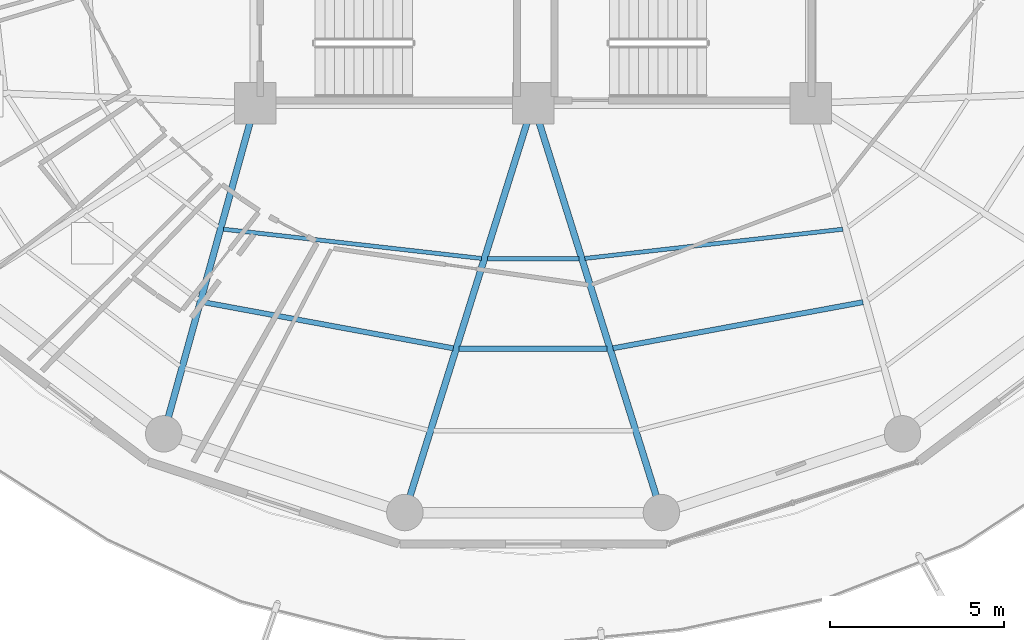
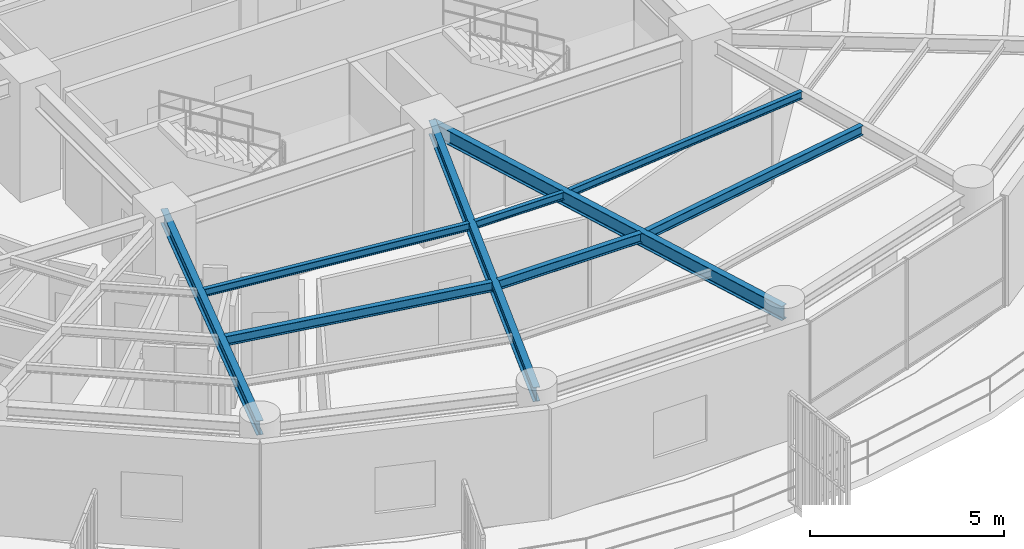
# One storey, part 5 of 30: 9 beams.
"""IFC4 building model written with IfcOpenShell, lengths in metres."""

from ifc_helpers import new_model, si_unit, direction, frame, origin, origin_2d, place, context, subcontext, project, spatial, i_section, extrude, material, material_profile, profile_set, type_object, element, save


model = new_model("IFC4")

# Units and contexts
model_context = context("Model", 3, precision=1e-05, world=origin(), true_north=direction((0.0, 1.0)))
body_context = subcontext(model_context, "Body", "Model", "MODEL_VIEW")
ifc_project = project(units=[si_unit("LENGTHUNIT", "METRE"), si_unit("AREAUNIT", "SQUARE_METRE"), si_unit("VOLUMEUNIT", "CUBIC_METRE"), si_unit("PLANEANGLEUNIT", "RADIAN"), si_unit("MASSUNIT", "GRAM", prefix="KILO")], contexts=[model_context])

# Site, building, storey
site_placement = place(None, origin())
site = spatial("IfcSite", under=ifc_project, at=site_placement, CompositionType="ELEMENT")
building_placement = place(site_placement, origin())
building = spatial("IfcBuilding", under=site, at=building_placement, Name="Kelanora Arch Commons", CompositionType="ELEMENT")
storey_placement = place(building_placement, frame((0.0, 0.0, 204.449951171875)))
storey = spatial("IfcBuildingStorey", under=building, at=storey_placement, Name="L52", CompositionType="ELEMENT", Elevation=204.449951171875)

# Beams
ifc_material = material(Name="Steel S355", Category="steel")
ifc_material_profile_1 = material_profile(ifc_material, i_section(OverallWidth=0.14990234375, OverallDepth=0.300048828125, WebThickness=0.007080078125, FlangeThickness=0.0107421875, FilletRadius=0.014892578125, at=origin_2d()), Name="IPE300")
ifc_profile_set_1 = profile_set([ifc_material_profile_1], Name="Steel S355")
beam_type_1 = type_object("IfcBeamType", Name="BM-JST-01", PredefinedType="JOIST", material=ifc_profile_set_1)
beam_1_placement = place(storey_placement, frame((64.49951171875, 45.270263671875, 3.340087890625), z_axis=(0.983389964671, -0.181505309519, 0.0), x_axis=(0.181505309519, 0.983389964671, 0.0)))
element("IfcBeam", 1, at=beam_1_placement, inside=storey, type_object=beam_type_1, Name="Secondary Chord Joist BJB-24 L52", PredefinedType="JOIST", context=body_context, shape_type="SweptSolid", body=[
    extrude(i_section(OverallWidth=0.14990234375, OverallDepth=0.300048828125, WebThickness=0.007080078125, FlangeThickness=0.0107421875, FilletRadius=0.014892578125, at=origin_2d()), origin(), (0.0, 0.0, 1.0), 7.3212890625),
])
beam_2_placement = place(storey_placement, frame((71.867919921875, 43.92578125, 3.340087890625), z_axis=(1.0, 0.0, 0.0), x_axis=(0.0, 1.0, 0.0)))
element("IfcBeam", 2, at=beam_2_placement, inside=storey, type_object=beam_type_1, Name="Secondary Chord Joist BJB-26 L52", PredefinedType="JOIST", context=body_context, shape_type="SweptSolid", body=[
    extrude(i_section(OverallWidth=0.14990234375, OverallDepth=0.300048828125, WebThickness=0.007080078125, FlangeThickness=0.0107421875, FilletRadius=0.014892578125, at=origin_2d()), origin(), (0.0, 0.0, 1.0), 4.26416015625),
])
beam_3_placement = place(storey_placement, frame((76.30078125, 43.94140625, 3.340087890625), z_axis=(0.983389964671, 0.181505309519, 0.0), x_axis=(-0.181505309519, 0.983389964671, 0.0)))
element("IfcBeam", 3, at=beam_3_placement, inside=storey, type_object=beam_type_1, Name="Secondary Chord Joist BJB-28 L52", PredefinedType="JOIST", context=body_context, shape_type="SweptSolid", body=[
    extrude(i_section(OverallWidth=0.14990234375, OverallDepth=0.300048828125, WebThickness=0.007080078125, FlangeThickness=0.0107421875, FilletRadius=0.014892578125, at=origin_2d()), origin(), (0.0, 0.0, 1.0), 7.3212890625),
])
ifc_material_profile_2 = material_profile(ifc_material, i_section(OverallWidth=0.1201171875, OverallDepth=0.239990234375, WebThickness=0.006103515625, FlangeThickness=0.009765625, FilletRadius=0.014892578125, at=origin_2d()), Name="IPE240")
ifc_profile_set_2 = profile_set([ifc_material_profile_2], Name="Steel S355")
beam_type_2 = type_object("IfcBeamType", Name="BM-JST-02", PredefinedType="JOIST", material=ifc_profile_set_2)
beam_4_placement = place(storey_placement, frame((65.081298828125, 47.371337890625, 3.3701171875), z_axis=(0.993639672263, -0.11260640171, 0.0), x_axis=(0.11260640171, 0.993639672263, 0.0)))
element("IfcBeam", 4, at=beam_4_placement, inside=storey, type_object=beam_type_2, Name="Secondary Chord Joist BJA-24 L52", PredefinedType="JOIST", context=body_context, shape_type="SweptSolid", body=[
    extrude(i_section(OverallWidth=0.1201171875, OverallDepth=0.239990234375, WebThickness=0.006103515625, FlangeThickness=0.009765625, FilletRadius=0.014892578125, at=origin_2d()), origin(), (0.0, 0.0, 1.0), 7.477783203125),
])
beam_5_placement = place(storey_placement, frame((72.680908203125, 46.519775390625, 3.3701171875), z_axis=(1.0, 0.0, 0.0), x_axis=(0.0, 1.0, 0.0)))
element("IfcBeam", 5, at=beam_5_placement, inside=storey, type_object=beam_type_2, Name="Secondary Chord Joist BJA-26 L52", PredefinedType="JOIST", context=body_context, shape_type="SweptSolid", body=[
    extrude(i_section(OverallWidth=0.1201171875, OverallDepth=0.239990234375, WebThickness=0.006103515625, FlangeThickness=0.009765625, FilletRadius=0.014892578125, at=origin_2d()), origin(), (0.0, 0.0, 1.0), 2.63818359375),
])
beam_6_placement = place(storey_placement, frame((75.488525390625, 46.529296875, 3.3701171875), z_axis=(0.993639672263, 0.11260640171, 0.0), x_axis=(-0.11260640171, 0.993639672263, 0.0)))
element("IfcBeam", 6, at=beam_6_placement, inside=storey, type_object=beam_type_2, Name="Secondary Chord Joist BJA-28 L52", PredefinedType="JOIST", context=body_context, shape_type="SweptSolid", body=[
    extrude(i_section(OverallWidth=0.1201171875, OverallDepth=0.239990234375, WebThickness=0.006103515625, FlangeThickness=0.009765625, FilletRadius=0.014892578125, at=origin_2d()), origin(), (0.0, 0.0, 1.0), 7.477783203125),
])
ifc_material_profile_3 = material_profile(ifc_material, i_section(OverallWidth=0.18994140625, OverallDepth=0.449951171875, WebThickness=0.009521484375, FlangeThickness=0.0146484375, FilletRadius=0.02099609375, at=origin_2d()), Name="IPE450")
ifc_profile_set_3 = profile_set([ifc_material_profile_3], Name="Steel S355")
beam_type_3 = type_object("IfcBeamType", Name="BM-RAD-Z4", PredefinedType="BEAM", material=ifc_profile_set_3)
beam_7_placement = place(storey_placement, frame((66.0, 51.0, 3.26513671875), z_axis=(-0.267120164296, -0.963663228429, 0.0), x_axis=(0.963663228429, -0.267120164296, 0.0)))
element("IfcBeam", 7, at=beam_7_placement, inside=storey, type_object=beam_type_3, Name="Radial Floor Girder BR-24 L52", PredefinedType="BEAM", context=body_context, shape_type="SweptSolid", body=[
    extrude(i_section(OverallWidth=0.18994140625, OverallDepth=0.449951171875, WebThickness=0.009521484375, FlangeThickness=0.0146484375, FilletRadius=0.02099609375, at=origin_2d()), origin(), (0.0, 0.0, 1.0), 9.8828125),
])
for number, where, z_axis, x_axis, name in (
    (8, (74.0, 51.0, 3.26513671875), (-0.299080457492, -0.954227897279, 0.0), (0.954227897279, -0.299080457492, 0.0), "Radial Floor Girder BR-26 L52"),
    (9, (74.0, 51.0, 3.26513671875), (0.299080457492, -0.954227897279, 0.0), (0.954227897279, 0.299080457492, 0.0), "Radial Floor Girder BR-28 L52"),
):
    element("IfcBeam", number, at=place(storey_placement, frame(where, z_axis=z_axis, x_axis=x_axis)), inside=storey, type_object=beam_type_3, Name=name, PredefinedType="BEAM", context=body_context, shape_type="SweptSolid", body=[
        extrude(i_section(OverallWidth=0.18994140625, OverallDepth=0.449951171875, WebThickness=0.009521484375, FlangeThickness=0.0146484375, FilletRadius=0.02099609375, at=origin_2d()), origin(), (0.0, 0.0, 1.0), 12.35546875),
    ])

save(model, "model.ifc")
